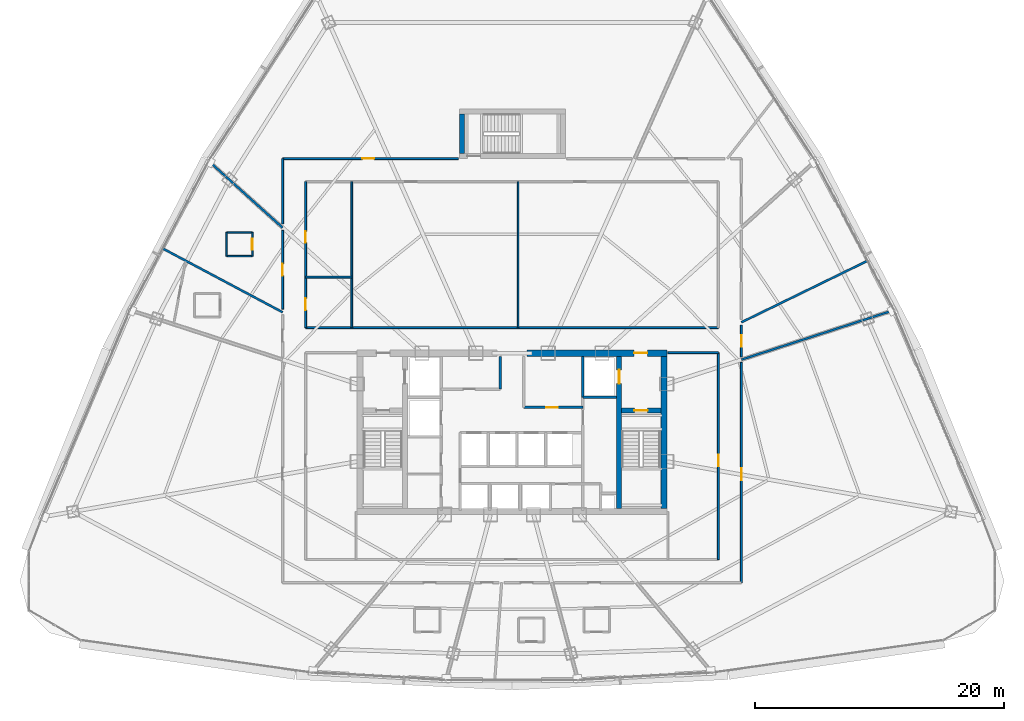
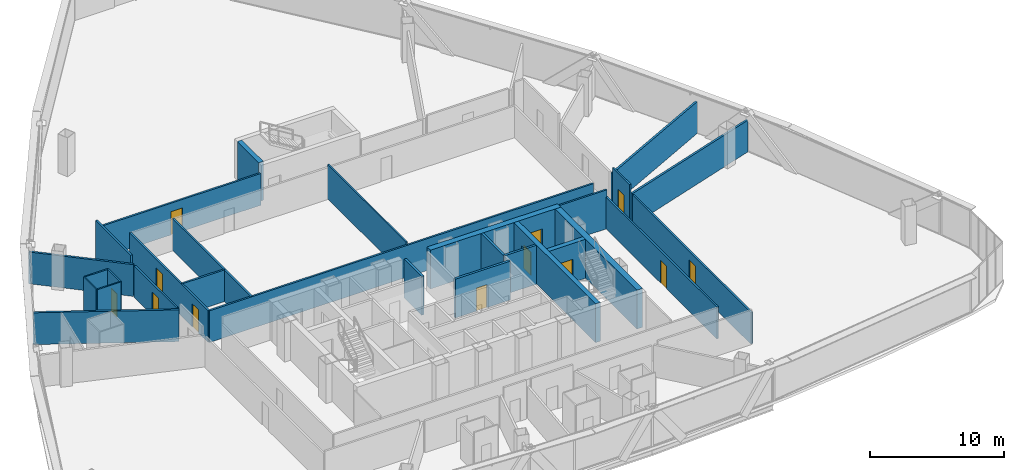
# One storey, part 34 of 40: 29 walls, 12 doors, 12 openings.
"""IFC4 building model written with IfcOpenShell, lengths in metres."""

from ifc_helpers import new_model, si_unit, direction, frame, frame_2d, origin, origin_with_axes, place, context, subcontext, project, spatial, rectangle, extrude, source, transform, mapped, material, layer, layer_set, type_object, element, fill, save


model = new_model("IFC4")

# Units and contexts
model_context = context("Model", 3, precision=1e-05, world=origin(), true_north=direction((0.0, 1.0)))
body_context = subcontext(model_context, "Body", "Model", "MODEL_VIEW")
ifc_project = project(units=[si_unit("LENGTHUNIT", "METRE"), si_unit("AREAUNIT", "SQUARE_METRE"), si_unit("VOLUMEUNIT", "CUBIC_METRE"), si_unit("PLANEANGLEUNIT", "RADIAN"), si_unit("MASSUNIT", "GRAM", prefix="KILO"), si_unit("THERMODYNAMICTEMPERATUREUNIT", "KELVIN"), si_unit("POWERUNIT", "WATT")], contexts=[model_context])

# Site, building, storey
site_placement = place(None, origin())
site = spatial("IfcSite", under=ifc_project, at=site_placement, CompositionType="ELEMENT")
building_placement = place(site_placement, origin())
building = spatial("IfcBuilding", under=site, at=building_placement, Name="Yunzhuo Pagoda Commons", CompositionType="ELEMENT")
storey_placement = place(building_placement, frame((0.0, 0.0, 188.56005859375)))
storey = spatial("IfcBuildingStorey", under=building, at=storey_placement, Name="L47", CompositionType="ELEMENT", Elevation=188.56005859375)

# Wall, opening, door
ifc_material_1 = material(Name="Concrete C50", Category="concrete")
ifc_layer_1 = layer(ifc_material_1, 0.5)
ifc_layer_set_1 = layer_set([ifc_layer_1], Name="Concrete C50")
wall_type_1 = type_object("IfcWallType", Name="W-C03 Upper Core Shear Wall 500", PredefinedType="SHEAR", material=ifc_layer_set_1)
wall_1_placement = place(storey_placement, frame((49.199951171875, 40.199951171875, 0.0), z_axis=(0.0, 0.0, 1.0), x_axis=(1.0, 0.0, 0.0)))
wall_1 = element("IfcWall", 1, at=wall_1_placement, inside=storey, type_object=wall_type_1, Name="L47 core shear wall NE", PredefinedType="SHEAR", context=body_context, shape_type="SweptSolid", body=[
    extrude(rectangle(XDim=11.25, YDim=0.5, at=frame_2d((5.625, 0.0))), origin(), (0.0, 0.0, 1.0), 3.5400390625),
])
opening_1_placement = place(wall_1_placement, frame((8.60009765625, 0.0, 0.0)))
opening_1 = element("IfcOpeningElement", 2, at=opening_1_placement, cuts=wall_1, Name="Opening D-02", PredefinedType="OPENING", context=body_context, shape_type="SweptSolid", body=[
    extrude(rectangle(XDim=1.050048828125, YDim=2.10009765625, at=frame_2d((0.52490234375, 1.050048828125))), frame((0.0, 0.260009765625, 0.0), z_axis=(0.0, -1.0, 0.0), x_axis=(1.0, 0.0, 0.0)), (0.0, 0.0, 1.0), 0.52001953125),
])
ifc_material_2 = material(Name="Galvanized fire-resisting metal leaf")
door_type_1 = type_object("IfcDoorType", Name="D-02 Firefighting Lobby & Refuge Fire Door 1050x2100", OperationType="NOTDEFINED", PredefinedType="DOOR", material=ifc_material_2)
shared_shape_1 = source(origin(), body_context, "Body", "SweptSolid", [
    extrude(rectangle(XDim=1.050048828125, YDim=2.10009765625, at=frame_2d((0.52490234375, 1.050048828125))), frame((0.0, 0.02490234375, 0.0), z_axis=(0.0, -1.0, 0.0), x_axis=(1.0, 0.0, 0.0)), (0.0, 0.0, 1.0), 0.050048828125),
])
door_1_placement = place(opening_1_placement, frame((1.050048828125, 0.0, 0.0), z_axis=(0.0, 0.0, 1.0), x_axis=(-1.0, 0.0, 0.0)))
door_1 = element("IfcDoor", 3, at=door_1_placement, inside=storey, type_object=door_type_1, Name="L47 Firefighting Lobby 2 fire door", OperationType="SINGLE_SWING_RIGHT", OverallHeight=2.10009765625, OverallWidth=1.050048828125, PredefinedType="DOOR", context=body_context, shape_type="MappedRepresentation", body=[
    mapped(shared_shape_1, transform((0.0, 0.0, 0.0), scale=1.0)),
])
fill(opening_1, door_1)

# Walls
wall_2_placement = place(storey_placement, frame((60.199951171875, 27.75, 0.0), z_axis=(0.0, 0.0, 1.0), x_axis=(0.0, 1.0, 0.0)))
element("IfcWall", 4, at=wall_2_placement, inside=storey, type_object=wall_type_1, Name="L47 core shear wall E", PredefinedType="SHEAR", context=body_context, shape_type="SweptSolid", body=[
    extrude(rectangle(XDim=12.199951171875, YDim=0.5, at=frame_2d((6.10009765625, 0.0))), origin(), (0.0, 0.0, 1.0), 3.5400390625),
])
ifc_material_3 = material(Name="Gypsum plasterboard on acoustic stud")
ifc_layer_2 = layer(ifc_material_3, 0.155029296875)
ifc_layer_set_2 = layer_set([ifc_layer_2], Name="Gypsum plasterboard on acoustic stud")
wall_type_2 = type_object("IfcWallType", Name="W-COR2 Mid-Zone Rated Corridor Wall 155", PredefinedType="PARTITIONING", material=ifc_layer_set_2)
wall_3_placement = place(storey_placement, frame((31.449951171875, 42.25, 0.0), z_axis=(0.0, 0.0, 1.0), x_axis=(1.0, 0.0, 0.0)))
element("IfcWall", 5, at=wall_3_placement, inside=storey, type_object=wall_type_2, Name="L47 interior wall IW-L47-MCNS", PredefinedType="PARTITIONING", context=body_context, shape_type="SweptSolid", body=[
    extrude(rectangle(XDim=33.10009765625, YDim=0.155029296875, at=frame_2d((16.550048828125, 0.0))), origin(), (0.0, 0.0, 1.0), 2.889892578125),
])

# Wall, openings, doors
wall_4_placement = place(storey_placement, frame((31.449951171875, 42.25, 0.0), z_axis=(0.0, 0.0, 1.0), x_axis=(0.0, 1.0, 0.0)))
wall_4 = element("IfcWall", 6, at=wall_4_placement, inside=storey, type_object=wall_type_2, Name="L47 interior wall IW-L47-MCNW", PredefinedType="PARTITIONING", context=body_context, shape_type="SweptSolid", body=[
    extrude(rectangle(XDim=11.699951171875, YDim=0.155029296875, at=frame_2d((5.85009765625, 0.0))), origin(), (0.0, 0.0, 1.0), 2.889892578125),
])
opening_2_placement = place(wall_4_placement, frame((1.39990234375, 0.0, 0.0)))
opening_2 = element("IfcOpeningElement", 7, at=opening_2_placement, cuts=wall_4, Name="Opening D-11", PredefinedType="OPENING", context=body_context, shape_type="SweptSolid", body=[
    extrude(rectangle(XDim=0.93994140625, YDim=2.10009765625, at=frame_2d((0.469970703125, 1.050048828125))), frame((0.0, 0.08740234375, 0.0), z_axis=(0.0, -1.0, 0.0), x_axis=(1.0, 0.0, 0.0)), (0.0, 0.0, 1.0), 0.175048828125),
])
opening_3_placement = place(wall_4_placement, frame((6.800048828125, 0.0, 0.0)))
opening_3 = element("IfcOpeningElement", 8, at=opening_3_placement, cuts=wall_4, Name="Opening D-04", PredefinedType="OPENING", context=body_context, shape_type="SweptSolid", body=[
    extrude(rectangle(XDim=0.919921875, YDim=2.10009765625, at=frame_2d((0.4599609375, 1.050048828125))), frame((0.0, 0.08740234375, 0.0), z_axis=(0.0, -1.0, 0.0), x_axis=(1.0, 0.0, 0.0)), (0.0, 0.0, 1.0), 0.175048828125),
])
door_type_2 = type_object("IfcDoorType", Name="D-11 Accessible Washroom Fire Door 940x2100", OperationType="NOTDEFINED", PredefinedType="DOOR", material=ifc_material_2)
shared_shape_2 = source(origin(), body_context, "Body", "SweptSolid", [
    extrude(rectangle(XDim=0.93994140625, YDim=2.10009765625, at=frame_2d((0.469970703125, 1.050048828125))), frame((0.0, 0.02490234375, 0.0), z_axis=(0.0, -1.0, 0.0), x_axis=(1.0, 0.0, 0.0)), (0.0, 0.0, 1.0), 0.050048828125),
])
door_2_placement = place(opening_2_placement, origin_with_axes())
door_2 = element("IfcDoor", 9, at=door_2_placement, inside=storey, type_object=door_type_2, Name="L47 accessible WC door", OperationType="SINGLE_SWING_LEFT", OverallHeight=2.10009765625, OverallWidth=0.93994140625, PredefinedType="DOOR", context=body_context, shape_type="MappedRepresentation", body=[
    mapped(shared_shape_2, transform((0.0, 0.0, 0.0), scale=1.0)),
])
fill(opening_2, door_2)
ifc_material_4 = material(Name="Powder-coated aluminium and timber acoustic leaf", Category="wood")
door_type_3 = type_object("IfcDoorType", Name="D-04 Bedroom & Study Interior Door 920x2100", OperationType="NOTDEFINED", PredefinedType="DOOR", material=ifc_material_4)
shared_shape_3 = source(origin(), body_context, "Body", "SweptSolid", [
    extrude(rectangle(XDim=0.919921875, YDim=2.10009765625, at=frame_2d((0.4599609375, 1.050048828125))), frame((0.0, 0.02490234375, 0.0), z_axis=(0.0, -1.0, 0.0), x_axis=(1.0, 0.0, 0.0)), (0.0, 0.0, 1.0), 0.050048828125),
])
door_3_placement = place(opening_3_placement, origin_with_axes())
door_3 = element("IfcDoor", 10, at=door_3_placement, inside=storey, type_object=door_type_3, Name="L47 laundry door", OperationType="SINGLE_SWING_RIGHT", OverallHeight=2.10009765625, OverallWidth=0.919921875, PredefinedType="DOOR", context=body_context, shape_type="MappedRepresentation", body=[
    mapped(shared_shape_3, transform((0.0, 0.0, 0.0), scale=1.0)),
])
fill(opening_3, door_3)

# Walls
wall_5_placement = place(storey_placement, frame((35.14990234375, 42.25, 0.0), z_axis=(0.0, 0.0, 1.0), x_axis=(0.0, 1.0, 0.0)))
element("IfcWall", 11, at=wall_5_placement, inside=storey, type_object=wall_type_2, Name="L47 interior wall IW-L47-MCWCE", PredefinedType="PARTITIONING", context=body_context, shape_type="SweptSolid", body=[
    extrude(rectangle(XDim=11.699951171875, YDim=0.155029296875, at=frame_2d((5.85009765625, 0.0))), origin(), (0.0, 0.0, 1.0), 2.889892578125),
])
wall_6_placement = place(storey_placement, frame((31.449951171875, 46.300048828125, 0.0), z_axis=(0.0, 0.0, 1.0), x_axis=(1.0, 0.0, 0.0)))
element("IfcWall", 12, at=wall_6_placement, inside=storey, type_object=wall_type_2, Name="L47 interior wall IW-L47-MCWCN", PredefinedType="PARTITIONING", context=body_context, shape_type="SweptSolid", body=[
    extrude(rectangle(XDim=3.699951171875, YDim=0.155029296875, at=frame_2d((1.85009765625, 0.0))), origin(), (0.0, 0.0, 1.0), 2.889892578125),
])

# Wall, opening, door
wall_7_placement = place(storey_placement, frame((64.550048828125, 23.64990234375, 0.0), z_axis=(0.0, 0.0, 1.0), x_axis=(0.0, 1.0, 0.0)))
wall_7 = element("IfcWall", 13, at=wall_7_placement, inside=storey, type_object=wall_type_2, Name="L47 interior wall IW-L47-SFLE", PredefinedType="PARTITIONING", context=body_context, shape_type="SweptSolid", body=[
    extrude(rectangle(XDim=16.60009765625, YDim=0.155029296875, at=frame_2d((8.300048828125, 0.0))), origin(), (0.0, 0.0, 1.0), 2.889892578125),
])
opening_4_placement = place(wall_7_placement, frame((7.5, 0.0, 0.0)))
opening_4 = element("IfcOpeningElement", 14, at=opening_4_placement, cuts=wall_7, Name="Opening D-12", PredefinedType="OPENING", context=body_context, shape_type="SweptSolid", body=[
    extrude(rectangle(XDim=0.89990234375, YDim=2.080078125, at=frame_2d((0.449951171875, 1.0400390625))), frame((0.0, 0.08740234375, 0.0), z_axis=(0.0, -1.0, 0.0), x_axis=(1.0, 0.0, 0.0)), (0.0, 0.0, 1.0), 0.175048828125),
])
door_type_4 = type_object("IfcDoorType", Name="D-12 Quiet Study Interior Door 900x2080", OperationType="NOTDEFINED", PredefinedType="DOOR", material=ifc_material_4)
shared_shape_4 = source(origin(), body_context, "Body", "SweptSolid", [
    extrude(rectangle(XDim=0.89990234375, YDim=2.080078125, at=frame_2d((0.449951171875, 1.0400390625))), frame((0.0, 0.02490234375, 0.0), z_axis=(0.0, -1.0, 0.0), x_axis=(1.0, 0.0, 0.0)), (0.0, 0.0, 1.0), 0.050048828125),
])
door_4_placement = place(opening_4_placement, frame((0.89990234375, 0.0, 0.0), z_axis=(0.0, 0.0, 1.0), x_axis=(-1.0, 0.0, 0.0)))
door_4 = element("IfcDoor", 15, at=door_4_placement, inside=storey, type_object=door_type_4, Name="L47 east study workroom door", OperationType="SINGLE_SWING_RIGHT", OverallHeight=2.080078125, OverallWidth=0.89990234375, PredefinedType="DOOR", context=body_context, shape_type="MappedRepresentation", body=[
    mapped(shared_shape_4, transform((0.0, 0.0, 0.0), scale=1.0)),
])
fill(opening_4, door_4)

# Wall
wall_8_placement = place(storey_placement, frame((60.5, 40.25, 0.0), z_axis=(0.0, 0.0, 1.0), x_axis=(1.0, 0.0, 0.0)))
element("IfcWall", 16, at=wall_8_placement, inside=storey, type_object=wall_type_2, Name="L47 interior wall IW-L47-SFLNE", PredefinedType="PARTITIONING", context=body_context, shape_type="SweptSolid", body=[
    extrude(rectangle(XDim=4.050048828125, YDim=0.155029296875, at=frame_2d((2.02490234375, 0.0))), origin(), (0.0, 0.0, 1.0), 3.5400390625),
])

# Wall, opening, door
wall_9_placement = place(storey_placement, frame((29.60009765625, 43.732666015625, 0.0), z_axis=(0.0, 0.0, 1.0), x_axis=(0.0, 1.0, 0.0)))
wall_9 = element("IfcWall", 17, at=wall_9_placement, inside=storey, type_object=wall_type_2, Name="L47 interior wall IW-L47-CWL03", PredefinedType="PARTITIONING", context=body_context, shape_type="SweptSolid", body=[
    extrude(rectangle(XDim=6.31494140625, YDim=0.155029296875, at=frame_2d((3.157470703125, 0.0))), origin(), (0.0, 0.0, 1.0), 2.889892578125),
])
opening_5_placement = place(wall_9_placement, frame((2.667724609375, 0.0, 0.0)))
opening_5 = element("IfcOpeningElement", 18, at=opening_5_placement, cuts=wall_9, Name="Opening D-07", PredefinedType="OPENING", context=body_context, shape_type="SweptSolid", body=[
    extrude(rectangle(XDim=0.9599609375, YDim=2.1201171875, at=frame_2d((0.47998046875, 1.06005859375))), frame((0.0, 0.08740234375, 0.0), z_axis=(0.0, -1.0, 0.0), x_axis=(1.0, 0.0, 0.0)), (0.0, 0.0, 1.0), 0.175048828125),
])
door_type_5 = type_object("IfcDoorType", Name="D-07 Mid-Zone Suite Entrance Fire Door 960x2120", OperationType="NOTDEFINED", PredefinedType="DOOR", material=ifc_material_2)
shared_shape_5 = source(origin(), body_context, "Body", "SweptSolid", [
    extrude(rectangle(XDim=0.9599609375, YDim=2.1201171875, at=frame_2d((0.47998046875, 1.06005859375))), frame((0.0, 0.02490234375, 0.0), z_axis=(0.0, -1.0, 0.0), x_axis=(1.0, 0.0, 0.0)), (0.0, 0.0, 1.0), 0.050048828125),
])
door_5_placement = place(opening_5_placement, origin_with_axes())
door_5 = element("IfcDoor", 19, at=door_5_placement, inside=storey, type_object=door_type_5, Name="L47 unit 06 entrance door", OperationType="SINGLE_SWING_RIGHT", OverallHeight=2.1201171875, OverallWidth=0.9599609375, PredefinedType="DOOR", context=body_context, shape_type="MappedRepresentation", body=[
    mapped(shared_shape_5, transform((0.0, 0.0, 0.0), scale=1.0)),
])
fill(opening_5, door_5)

# Wall
wall_10_placement = place(storey_placement, frame((29.60009765625, 50.5634765625, 0.0), z_axis=(0.0, 0.0, 1.0), x_axis=(0.0, 1.0, 0.0)))
element("IfcWall", 20, at=wall_10_placement, inside=storey, type_object=wall_type_2, Name="L47 interior wall IW-L47-CWL04", PredefinedType="PARTITIONING", context=body_context, shape_type="SweptSolid", body=[
    extrude(rectangle(XDim=5.236572265625, YDim=0.155029296875, at=frame_2d((2.6181640625, 0.0))), origin(), (0.0, 0.0, 1.0), 3.5400390625),
])

# Wall, opening, door
wall_11_placement = place(storey_placement, frame((29.60009765625, 55.800048828125, 0.0), z_axis=(0.0, 0.0, 1.0), x_axis=(1.0, 0.0, 0.0)))
wall_11 = element("IfcWall", 21, at=wall_11_placement, inside=storey, type_object=wall_type_2, Name="L47 interior wall IW-L47-CWL05", PredefinedType="PARTITIONING", context=body_context, shape_type="SweptSolid", body=[
    extrude(rectangle(XDim=14.10888671875, YDim=0.155029296875, at=frame_2d((7.054443359375, 0.0))), origin(), (0.0, 0.0, 1.0), 2.889892578125),
])
opening_6_placement = place(wall_11_placement, frame((6.385009765625, 0.0, 0.0)))
opening_6 = element("IfcOpeningElement", 22, at=opening_6_placement, cuts=wall_11, Name="Opening D-07", PredefinedType="OPENING", context=body_context, shape_type="SweptSolid", body=[
    extrude(rectangle(XDim=0.9599609375, YDim=2.1201171875, at=frame_2d((0.47998046875, 1.06005859375))), frame((0.0, 0.08740234375, 0.0), z_axis=(0.0, -1.0, 0.0), x_axis=(1.0, 0.0, 0.0)), (0.0, 0.0, 1.0), 0.175048828125),
])
door_6_placement = place(opening_6_placement, origin_with_axes())
door_6 = element("IfcDoor", 23, at=door_6_placement, inside=storey, type_object=door_type_5, Name="L47 Shared Resident Kitchen and Pantry door", OperationType="SINGLE_SWING_LEFT", OverallHeight=2.1201171875, OverallWidth=0.9599609375, PredefinedType="DOOR", context=body_context, shape_type="MappedRepresentation", body=[
    mapped(shared_shape_5, transform((0.0, 0.0, 0.0), scale=1.0)),
])
fill(opening_6, door_6)

wall_12_placement = place(storey_placement, frame((66.39990234375, 42.45458984375, 0.0), z_axis=(0.0, 0.0, 1.0), x_axis=(0.0, -1.0, 0.0)))
wall_12 = element("IfcWall", 24, at=wall_12_placement, inside=storey, type_object=wall_type_2, Name="L47 interior wall IW-L47-CWL11", PredefinedType="PARTITIONING", context=body_context, shape_type="SweptSolid", body=[
    extrude(rectangle(XDim=2.544677734375, YDim=0.155029296875, at=frame_2d((1.2724609375, 0.0))), origin(), (0.0, 0.0, 1.0), 3.5400390625),
])
opening_7_placement = place(wall_12_placement, frame((0.818115234375, 0.0, 0.0)))
opening_7 = element("IfcOpeningElement", 25, at=opening_7_placement, cuts=wall_12, Name="Opening D-04", PredefinedType="OPENING", context=body_context, shape_type="SweptSolid", body=[
    extrude(rectangle(XDim=0.919921875, YDim=2.10009765625, at=frame_2d((0.4599609375, 1.050048828125))), frame((0.0, 0.08740234375, 0.0), z_axis=(0.0, -1.0, 0.0), x_axis=(1.0, 0.0, 0.0)), (0.0, 0.0, 1.0), 0.175048828125),
])
door_7_placement = place(opening_7_placement, origin_with_axes())
door_7 = element("IfcDoor", 26, at=door_7_placement, inside=storey, type_object=door_type_3, Name="L47 seminar room 01 door", OperationType="SINGLE_SWING_LEFT", OverallHeight=2.10009765625, OverallWidth=0.919921875, PredefinedType="DOOR", context=body_context, shape_type="MappedRepresentation", body=[
    mapped(shared_shape_3, transform((0.0, 0.0, 0.0), scale=1.0)),
])
fill(opening_7, door_7)

wall_13_placement = place(storey_placement, frame((66.39990234375, 39.458740234375, 0.0), z_axis=(0.0, 0.0, 1.0), x_axis=(0.0, -1.0, 0.0)))
wall_13 = element("IfcWall", 27, at=wall_13_placement, inside=storey, type_object=wall_type_2, Name="L47 interior wall IW-L47-CWL12", PredefinedType="PARTITIONING", context=body_context, shape_type="SweptSolid", body=[
    extrude(rectangle(XDim=17.65869140625, YDim=0.155029296875, at=frame_2d((8.829345703125, 0.0))), origin(), (0.0, 0.0, 1.0), 2.889892578125),
])
opening_8_placement = place(wall_13_placement, frame((8.474365234375, 0.0, 0.0)))
opening_8 = element("IfcOpeningElement", 28, at=opening_8_placement, cuts=wall_13, Name="Opening D-07", PredefinedType="OPENING", context=body_context, shape_type="SweptSolid", body=[
    extrude(rectangle(XDim=0.9599609375, YDim=2.1201171875, at=frame_2d((0.47998046875, 1.06005859375))), frame((0.0, 0.08740234375, 0.0), z_axis=(0.0, -1.0, 0.0), x_axis=(1.0, 0.0, 0.0)), (0.0, 0.0, 1.0), 0.175048828125),
])
door_8_placement = place(opening_8_placement, origin_with_axes())
door_8 = element("IfcDoor", 29, at=door_8_placement, inside=storey, type_object=door_type_5, Name="L47 Academic Reading Commons 2 door", OperationType="SINGLE_SWING_LEFT", OverallHeight=2.1201171875, OverallWidth=0.9599609375, PredefinedType="DOOR", context=body_context, shape_type="MappedRepresentation", body=[
    mapped(shared_shape_5, transform((0.0, 0.0, 0.0), scale=1.0)),
])
fill(opening_8, door_8)

# Walls
ifc_layer_3 = layer(ifc_material_3, 0.1201171875)
ifc_layer_set_3 = layer_set([ifc_layer_3], Name="Gypsum plasterboard on acoustic stud")
wall_type_3 = type_object("IfcWallType", Name="W-PRT1 Suite & Bathroom Partition 120", PredefinedType="PARTITIONING", material=ifc_layer_set_3)
wall_14_placement = place(storey_placement, frame((48.5, 42.25, 0.0), z_axis=(0.0, 0.0, 1.0), x_axis=(0.0, 1.0, 0.0)))
element("IfcWall", 30, at=wall_14_placement, inside=storey, type_object=wall_type_3, Name="L47 interior wall IW-L47-MCDIV", PredefinedType="PARTITIONING", context=body_context, shape_type="SweptSolid", body=[
    extrude(rectangle(XDim=11.699951171875, YDim=0.1201171875, at=frame_2d((5.85009765625, 0.0))), origin(), (0.0, 0.0, 1.0), 3.139892578125),
])
wall_15_placement = place(storey_placement, frame((25.1201171875, 47.98388671875, 0.0), z_axis=(0.0, 0.0, 1.0), x_axis=(1.0, 0.0, 0.0)))
element("IfcWall", 31, at=wall_15_placement, inside=storey, type_object=wall_type_3, Name="L47 interior wall IW-L47-B06S", PredefinedType="PARTITIONING", context=body_context, shape_type="SweptSolid", body=[
    extrude(rectangle(XDim=2.0498046875, YDim=0.1201171875, at=frame_2d((1.02490234375, 0.0))), origin(), (0.0, 0.0, 1.0), 3.5400390625),
])

# Wall, opening, door
wall_16_placement = place(storey_placement, frame((27.169921875, 47.98388671875, 0.0), z_axis=(0.0, 0.0, 1.0), x_axis=(0.0, 1.0, 0.0)))
wall_16 = element("IfcWall", 32, at=wall_16_placement, inside=storey, type_object=wall_type_3, Name="L47 interior wall IW-L47-B06E", PredefinedType="PARTITIONING", context=body_context, shape_type="SweptSolid", body=[
    extrude(rectangle(XDim=1.900146484375, YDim=0.1201171875, at=frame_2d((0.9501953125, 0.0))), origin(), (0.0, 0.0, 1.0), 3.5400390625),
])
opening_9_placement = place(wall_16_placement, frame((0.52490234375, 0.0, 0.0)))
opening_9 = element("IfcOpeningElement", 33, at=opening_9_placement, cuts=wall_16, Name="Opening D-05", PredefinedType="OPENING", context=body_context, shape_type="SweptSolid", body=[
    extrude(rectangle(XDim=0.85009765625, YDim=2.10009765625, at=frame_2d((0.425048828125, 1.050048828125))), frame((0.0, 0.070068359375, 0.0), z_axis=(0.0, -1.0, 0.0), x_axis=(1.0, 0.0, 0.0)), (0.0, 0.0, 1.0), 0.14013671875),
])
door_type_6 = type_object("IfcDoorType", Name="D-05 En-Suite Bathroom Door 850x2100", OperationType="NOTDEFINED", PredefinedType="DOOR", material=ifc_material_4)
shared_shape_6 = source(origin(), body_context, "Body", "SweptSolid", [
    extrude(rectangle(XDim=0.85009765625, YDim=2.10009765625, at=frame_2d((0.425048828125, 1.050048828125))), frame((0.0, 0.02490234375, 0.0), z_axis=(0.0, -1.0, 0.0), x_axis=(1.0, 0.0, 0.0)), (0.0, 0.0, 1.0), 0.050048828125),
])
door_9_placement = place(opening_9_placement, frame((0.85009765625, 0.0, 0.0), z_axis=(0.0, 0.0, 1.0), x_axis=(-1.0, 0.0, 0.0)))
door_9 = element("IfcDoor", 34, at=door_9_placement, inside=storey, type_object=door_type_6, Name="L47 unit 06 bathroom door", OperationType="SINGLE_SWING_RIGHT", OverallHeight=2.10009765625, OverallWidth=0.85009765625, PredefinedType="DOOR", context=body_context, shape_type="MappedRepresentation", body=[
    mapped(shared_shape_6, transform((0.0, 0.0, 0.0), scale=1.0)),
])
fill(opening_9, door_9)

# Walls
wall_17_placement = place(storey_placement, frame((27.169921875, 49.884033203125, 0.0), z_axis=(0.0, 0.0, 1.0), x_axis=(-1.0, 0.0, 0.0)))
element("IfcWall", 35, at=wall_17_placement, inside=storey, type_object=wall_type_3, Name="L47 interior wall IW-L47-B06N", PredefinedType="PARTITIONING", context=body_context, shape_type="SweptSolid", body=[
    extrude(rectangle(XDim=2.0498046875, YDim=0.1201171875, at=frame_2d((1.02490234375, 0.0))), origin(), (0.0, 0.0, 1.0), 3.5400390625),
])
wall_18_placement = place(storey_placement, frame((25.1201171875, 49.884033203125, 0.0), z_axis=(0.0, 0.0, 1.0), x_axis=(0.0, -1.0, 0.0)))
element("IfcWall", 36, at=wall_18_placement, inside=storey, type_object=wall_type_3, Name="L47 interior wall IW-L47-B06W", PredefinedType="PARTITIONING", context=body_context, shape_type="SweptSolid", body=[
    extrude(rectangle(XDim=1.900146484375, YDim=0.1201171875, at=frame_2d((0.9501953125, 0.0))), origin(), (0.0, 0.0, 1.0), 3.5400390625),
])
ifc_layer_4 = layer(ifc_material_3, 0.175048828125)
ifc_layer_set_4 = layer_set([ifc_layer_4], Name="Gypsum plasterboard on acoustic stud")
wall_type_4 = type_object("IfcWallType", Name="W-PRT3 Mid-Zone Demising Wall 175", PredefinedType="PARTITIONING", material=ifc_layer_set_4)
wall_19_placement = place(storey_placement, frame((66.39990234375, 39.678466796875, 0.0), z_axis=(0.0, 0.0, 1.0), x_axis=(0.951054689993, 0.309022615097, 0.0)))
element("IfcWall", 37, at=wall_19_placement, inside=storey, type_object=wall_type_4, Name="L47 interior wall IW-L47-RAD01", PredefinedType="PARTITIONING", context=body_context, shape_type="SweptSolid", body=[
    extrude(rectangle(XDim=12.875244140625, YDim=0.175048828125, at=frame_2d((6.4375, 0.0))), origin(), (0.0, 0.0, 1.0), 2.889892578125),
])
wall_20_placement = place(storey_placement, frame((66.39990234375, 42.67431640625, 0.0), z_axis=(0.0, 0.0, 1.0), x_axis=(0.898802099841, 0.438354634196, 0.0)))
element("IfcWall", 38, at=wall_20_placement, inside=storey, type_object=wall_type_4, Name="L47 interior wall IW-L47-RAD02", PredefinedType="PARTITIONING", context=body_context, shape_type="SweptSolid", body=[
    extrude(rectangle(XDim=11.293701171875, YDim=0.175048828125, at=frame_2d((5.64697265625, 0.0))), origin(), (0.0, 0.0, 1.0), 2.889892578125),
])
wall_21_placement = place(storey_placement, frame((29.60009765625, 50.267333984375, 0.0), z_axis=(0.0, 0.0, 1.0), x_axis=(-0.743139097079, 0.669136968335, 0.0)))
element("IfcWall", 39, at=wall_21_placement, inside=storey, type_object=wall_type_4, Name="L47 interior wall IW-L47-RAD06", PredefinedType="PARTITIONING", context=body_context, shape_type="SweptSolid", body=[
    extrude(rectangle(XDim=7.987060546875, YDim=0.175048828125, at=frame_2d((3.99365234375, 0.0))), origin(), (0.0, 0.0, 1.0), 2.889892578125),
])
wall_22_placement = place(storey_placement, frame((29.60009765625, 43.4833984375, 0.0), z_axis=(0.0, 0.0, 1.0), x_axis=(-0.882940086537, 0.469485679853, 0.0)))
element("IfcWall", 40, at=wall_22_placement, inside=storey, type_object=wall_type_4, Name="L47 interior wall IW-L47-RAD07", PredefinedType="PARTITIONING", context=body_context, shape_type="SweptSolid", body=[
    extrude(rectangle(XDim=10.910400390625, YDim=0.175048828125, at=frame_2d((5.455078125, 0.0))), origin(), (0.0, 0.0, 1.0), 2.889892578125),
])

# Wall, opening, door
ifc_material_5 = material(Name="Concrete C60", Category="concrete")
ifc_layer_5 = layer(ifc_material_5, 0.39990234375)
ifc_layer_set_5 = layer_set([ifc_layer_5], Name="Concrete C60")
wall_type_5 = type_object("IfcWallType", Name="W-S01 Internal Core Shear Web 400", PredefinedType="SHEAR", material=ifc_layer_set_5)
wall_23_placement = place(storey_placement, frame((56.60009765625, 27.75, 0.0), z_axis=(0.0, 0.0, 1.0), x_axis=(0.0, 1.0, 0.0)))
wall_23 = element("IfcWall", 41, at=wall_23_placement, inside=storey, type_object=wall_type_5, Name="L47 core shear wall WEBE", PredefinedType="SHEAR", context=body_context, shape_type="SweptSolid", body=[
    extrude(rectangle(XDim=12.199951171875, YDim=0.39990234375, at=frame_2d((6.10009765625, 0.0))), origin(), (0.0, 0.0, 1.0), 3.5400390625),
])
opening_10_placement = place(wall_23_placement, frame((10.0, 0.0, 0.0)))
opening_10 = element("IfcOpeningElement", 42, at=opening_10_placement, cuts=wall_23, Name="Opening LD-01", PredefinedType="OPENING", context=body_context, shape_type="SweptSolid", body=[
    extrude(rectangle(XDim=1.10009765625, YDim=2.10009765625, at=frame_2d((0.550048828125, 1.050048828125))), frame((0.0, 0.2099609375, 0.0), z_axis=(0.0, -1.0, 0.0), x_axis=(1.0, 0.0, 0.0)), (0.0, 0.0, 1.0), 0.419921875),
])
door_type_7 = type_object("IfcDoorType", Name="LD-01 Firefighting Lift Landing Door 1100x2100", OperationType="DOUBLE_DOOR_SLIDING", PredefinedType="DOOR", material=ifc_material_2)
shared_shape_7 = source(origin(), body_context, "Body", "SweptSolid", [
    extrude(rectangle(XDim=1.10009765625, YDim=2.10009765625, at=frame_2d((0.550048828125, 1.050048828125))), frame((0.0, 0.02490234375, 0.0), z_axis=(0.0, -1.0, 0.0), x_axis=(1.0, 0.0, 0.0)), (0.0, 0.0, 1.0), 0.050048828125),
])
door_10_placement = place(opening_10_placement, origin_with_axes())
door_10 = element("IfcDoor", 43, at=door_10_placement, inside=storey, type_object=door_type_7, Name="L47 Firefighting lift FL-2 landing door", OperationType="DOUBLE_DOOR_SLIDING", OverallHeight=2.10009765625, OverallWidth=1.10009765625, PredefinedType="DOOR", context=body_context, shape_type="MappedRepresentation", body=[
    mapped(shared_shape_7, transform((0.0, 0.0, 0.0), scale=1.0)),
])
fill(opening_10, door_10)

wall_24_placement = place(storey_placement, frame((56.800048828125, 35.60009765625, 0.0), z_axis=(0.0, 0.0, 1.0), x_axis=(1.0, 0.0, 0.0)))
wall_24 = element("IfcWall", 44, at=wall_24_placement, inside=storey, type_object=wall_type_5, Name="L47 core shear wall STE", PredefinedType="SHEAR", context=body_context, shape_type="SweptSolid", body=[
    extrude(rectangle(XDim=3.14990234375, YDim=0.39990234375, at=frame_2d((1.574951171875, 0.0))), origin(), (0.0, 0.0, 1.0), 3.5400390625),
])
opening_11_placement = place(wall_24_placement, frame((1.02001953125, 0.0, 0.0)))
opening_11 = element("IfcOpeningElement", 45, at=opening_11_placement, cuts=wall_24, Name="Opening D-01", PredefinedType="OPENING", context=body_context, shape_type="SweptSolid", body=[
    extrude(rectangle(XDim=1.050048828125, YDim=2.10009765625, at=frame_2d((0.52490234375, 1.050048828125))), frame((0.0, 0.2099609375, 0.0), z_axis=(0.0, -1.0, 0.0), x_axis=(1.0, 0.0, 0.0)), (0.0, 0.0, 1.0), 0.419921875),
])
door_type_8 = type_object("IfcDoorType", Name="D-01 Smokeproof Stair Fire Door 1050x2100", OperationType="NOTDEFINED", PredefinedType="DOOR", material=ifc_material_2)
door_11_placement = place(opening_11_placement, frame((1.050048828125, 0.0, 0.0), z_axis=(0.0, 0.0, 1.0), x_axis=(-1.0, 0.0, 0.0)))
door_11 = element("IfcDoor", 46, at=door_11_placement, inside=storey, type_object=door_type_8, Name="L47 Stair ST2 fire door", OperationType="SINGLE_SWING_RIGHT", OverallHeight=2.10009765625, OverallWidth=1.050048828125, PredefinedType="DOOR", context=body_context, shape_type="MappedRepresentation", body=[
    mapped(shared_shape_1, transform((0.0, 0.0, 0.0), scale=1.0)),
])
fill(opening_11, door_11)

# Walls
wall_25_placement = place(storey_placement, frame((44.0, 56.199951171875, 0.0), z_axis=(0.0, 0.0, 1.0), x_axis=(0.0, 1.0, 0.0)))
element("IfcWall", 47, at=wall_25_placement, inside=storey, type_object=wall_type_5, Name="L47 ST3 structural stair wall W", PredefinedType="SHEAR", context=body_context, shape_type="SweptSolid", body=[
    extrude(rectangle(XDim=3.199951171875, YDim=0.39990234375, at=frame_2d((1.60009765625, 0.0))), origin(), (0.0, 0.0, 1.0), 3.5400390625),
])
ifc_material_6 = material(Name="Concrete C40", Category="concrete")
ifc_layer_6 = layer(ifc_material_6, 0.199951171875)
ifc_layer_set_6 = layer_set([ifc_layer_6], Name="Concrete C40")
wall_type_6 = type_object("IfcWallType", Name="W-SHF Shaft & Stair Enclosure Wall 200", PredefinedType="SOLIDWALL", material=ifc_layer_set_6)
wall_26_placement = place(storey_placement, frame((53.679931640625, 36.64990234375, 0.0), z_axis=(0.0, 0.0, 1.0), x_axis=(0.0, 1.0, 0.0)))
element("IfcWall", 48, at=wall_26_placement, inside=storey, type_object=wall_type_6, Name="L47 interior wall IW-L47-FL2W", PredefinedType="SOLIDWALL", context=body_context, shape_type="SweptSolid", body=[
    extrude(rectangle(XDim=3.300048828125, YDim=0.199951171875, at=frame_2d((1.64990234375, 0.0))), origin(), (0.0, 0.0, 1.0), 3.5400390625),
])
wall_27_placement = place(storey_placement, frame((53.679931640625, 36.64990234375, 0.0), z_axis=(0.0, 0.0, 1.0), x_axis=(1.0, 0.0, 0.0)))
element("IfcWall", 49, at=wall_27_placement, inside=storey, type_object=wall_type_6, Name="L47 interior wall IW-L47-FL2S", PredefinedType="SOLIDWALL", context=body_context, shape_type="SweptSolid", body=[
    extrude(rectangle(XDim=2.719970703125, YDim=0.199951171875, at=frame_2d((1.35986328125, 0.0))), origin(), (0.0, 0.0, 1.0), 3.5400390625),
])

# Wall, opening, door
wall_28_placement = place(storey_placement, frame((48.949951171875, 35.85009765625, 0.0), z_axis=(0.0, 0.0, 1.0), x_axis=(1.0, 0.0, 0.0)))
wall_28 = element("IfcWall", 50, at=wall_28_placement, inside=storey, type_object=wall_type_6, Name="L47 interior wall IW-L47-LBNE", PredefinedType="SOLIDWALL", context=body_context, shape_type="SweptSolid", body=[
    extrude(rectangle(XDim=4.72998046875, YDim=0.199951171875, at=frame_2d((2.364990234375, 0.0))), origin(), (0.0, 0.0, 1.0), 3.5400390625),
])
opening_12_placement = place(wall_28_placement, frame((1.800048828125, 0.0, 0.0)))
opening_12 = element("IfcOpeningElement", 51, at=opening_12_placement, cuts=wall_28, Name="Opening D-03", PredefinedType="OPENING", context=body_context, shape_type="SweptSolid", body=[
    extrude(rectangle(XDim=0.89990234375, YDim=2.10009765625, at=frame_2d((0.449951171875, 1.050048828125))), frame((0.0, 0.10986328125, 0.0), z_axis=(0.0, -1.0, 0.0), x_axis=(1.0, 0.0, 0.0)), (0.0, 0.0, 1.0), 0.219970703125),
])
door_type_9 = type_object("IfcDoorType", Name="D-03 Core Service Fire Door 900x2100", OperationType="NOTDEFINED", PredefinedType="DOOR", material=ifc_material_2)
shared_shape_8 = source(origin(), body_context, "Body", "SweptSolid", [
    extrude(rectangle(XDim=0.89990234375, YDim=2.10009765625, at=frame_2d((0.449951171875, 1.050048828125))), frame((0.0, 0.02490234375, 0.0), z_axis=(0.0, -1.0, 0.0), x_axis=(1.0, 0.0, 0.0)), (0.0, 0.0, 1.0), 0.050048828125),
])
door_12_placement = place(opening_12_placement, frame((0.89990234375, 0.0, 0.0), z_axis=(0.0, 0.0, 1.0), x_axis=(-1.0, 0.0, 0.0)))
door_12 = element("IfcDoor", 52, at=door_12_placement, inside=storey, type_object=door_type_9, Name="L47 core east store door", OperationType="SINGLE_SWING_RIGHT", OverallHeight=2.10009765625, OverallWidth=0.89990234375, PredefinedType="DOOR", context=body_context, shape_type="MappedRepresentation", body=[
    mapped(shared_shape_8, transform((0.0, 0.0, 0.0), scale=1.0)),
])
fill(opening_12, door_12)

# Wall
wall_29_placement = place(storey_placement, frame((47.050048828125, 37.320068359375, 0.0), z_axis=(0.0, 0.0, 1.0), x_axis=(0.0, 1.0, 0.0)))
element("IfcWall", 53, at=wall_29_placement, inside=storey, type_object=wall_type_6, Name="L47 interior wall IW-L47-THRW", PredefinedType="SOLIDWALL", context=body_context, shape_type="SweptSolid", body=[
    extrude(rectangle(XDim=2.6298828125, YDim=0.199951171875, at=frame_2d((1.31494140625, 0.0))), origin(), (0.0, 0.0, 1.0), 3.5400390625),
])

save(model, "model.ifc")
